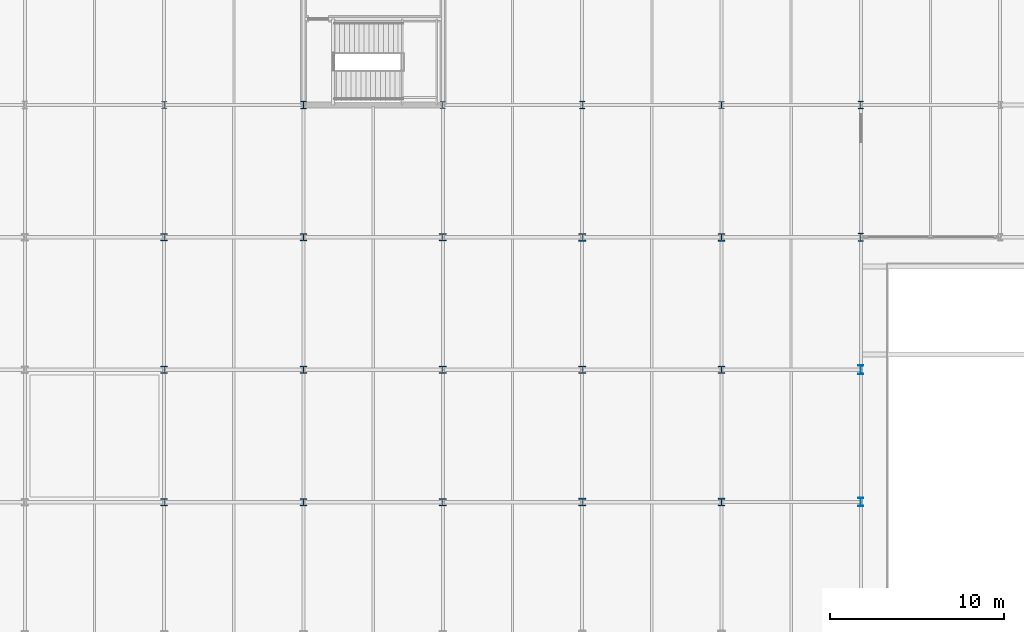
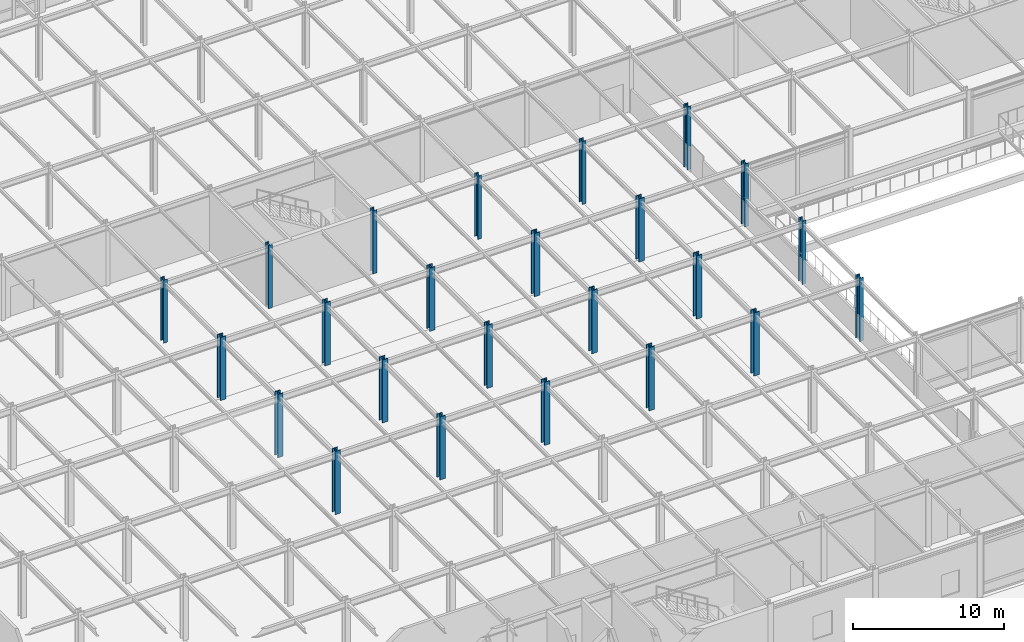
# One storey, part 7 of 113: 24 columns.
"""IFC4 building model written with IfcOpenShell, lengths in metres."""

from ifc_helpers import new_model, si_unit, direction, frame, origin, origin_2d, place, context, subcontext, project, spatial, i_section, extrude, material, material_profile, profile_set, type_object, element, save


model = new_model("IFC4")

# Units and contexts
model_context = context("Model", 3, precision=1e-05, world=origin(), true_north=direction((0.0, 1.0)))
body_context = subcontext(model_context, "Body", "Model", "MODEL_VIEW")
ifc_project = project(units=[si_unit("LENGTHUNIT", "METRE"), si_unit("AREAUNIT", "SQUARE_METRE"), si_unit("VOLUMEUNIT", "CUBIC_METRE"), si_unit("PLANEANGLEUNIT", "RADIAN"), si_unit("MASSUNIT", "GRAM", prefix="KILO")], contexts=[model_context])

# Site, building, storey
site_placement = place(None, origin())
site = spatial("IfcSite", under=ifc_project, at=site_placement, CompositionType="ELEMENT")
building_placement = place(site_placement, origin())
building = spatial("IfcBuilding", under=site, at=building_placement, Name="Shalkamar Park Central Library", CompositionType="ELEMENT")
storey_placement = place(building_placement, frame((0.0, 0.0, 5.39990234375)))
storey = spatial("IfcBuildingStorey", under=building, at=storey_placement, Name="L02", CompositionType="ELEMENT", Elevation=5.39990234375)

# Columns
ifc_material = material(Name="Steel S355", Category="steel")
ifc_material_profile_1 = material_profile(ifc_material, i_section(OverallWidth=0.412109375, OverallDepth=0.43505859375, WebThickness=0.035888671875, FlangeThickness=0.057373046875, FilletRadius=0.014892578125, at=origin_2d()), Name="HD 400x463")
ifc_profile_set_1 = profile_set([ifc_material_profile_1], Name="Steel S355")
column_type_1 = type_object("IfcColumnType", Name="Column Steel HD400x463", PredefinedType="COLUMN", material=ifc_profile_set_1)
for number, where, z_axis, x_axis, name in (
    (1, (189.0, 278.0, 0.0), (0.0, 0.0, 1.0), (1.0, 0.0, 0.0), "Column 10/F (L02)"),
    (2, (189.0, 285.60009765625, 0.0), (0.0, 0.0, 1.0), (1.0, 0.0, 0.0), "Column 10/G (L02)"),
    (3, (189.0, 293.199951171875, 0.0), (0.0, 0.0, 1.0), (1.0, 0.0, 0.0), "Column 10/H (L02)"),
    (4, (197.0, 278.0, 0.0), (0.0, 0.0, 1.0), (1.0, 0.0, 0.0), "Column 11/F (L02)"),
    (5, (197.0, 285.60009765625, 0.0), (0.0, 0.0, 1.0), (1.0, 0.0, 0.0), "Column 11/G (L02)"),
    (6, (197.0, 293.199951171875, 0.0), (0.0, 0.0, 1.0), (1.0, 0.0, 0.0), "Column 11/H (L02)"),
    (7, (205.0, 278.0, 0.0), (0.0, 0.0, 1.0), (1.0, 0.0, 0.0), "Column 12/F (L02)"),
    (8, (205.0, 285.60009765625, 0.0), (0.0, 0.0, 1.0), (1.0, 0.0, 0.0), "Column 12/G (L02)"),
    (9, (205.0, 293.199951171875, 0.0), (0.0, 0.0, 1.0), (1.0, 0.0, 0.0), "Column 12/H (L02)"),
):
    element("IfcColumn", number, at=place(storey_placement, frame(where, z_axis=z_axis, x_axis=x_axis)), inside=storey, type_object=column_type_1, Name=name, PredefinedType="COLUMN", context=body_context, shape_type="SweptSolid", body=[
        extrude(i_section(OverallWidth=0.412109375, OverallDepth=0.43505859375, WebThickness=0.035888671875, FlangeThickness=0.057373046875, FilletRadius=0.014892578125, at=origin_2d()), origin(), (0.0, 0.0, 1.0), 5.10009765625),
    ])
ifc_material_profile_2 = material_profile(ifc_material, i_section(OverallWidth=0.41796875, OverallDepth=0.455078125, WebThickness=0.0419921875, FlangeThickness=0.067626953125, FilletRadius=0.014892578125, at=origin_2d()), Name="HD 400x551")
ifc_profile_set_2 = profile_set([ifc_material_profile_2], Name="Steel S355")
column_type_2 = type_object("IfcColumnType", Name="Column Steel HD400x551", PredefinedType="COLUMN", material=ifc_profile_set_2)
for number, where, z_axis, x_axis, name in (
    (10, (213.0, 278.0, 0.0), (0.0, 0.0, 1.0), (1.0, 0.0, 0.0), "Column 13/F (L02)"),
    (11, (213.0, 285.60009765625, 0.0), (0.0, 0.0, 1.0), (1.0, 0.0, 0.0), "Column 13/G (L02)"),
    (12, (213.0, 293.199951171875, 0.0), (0.0, 0.0, 1.0), (1.0, 0.0, 0.0), "Column 13/H (L02)"),
    (13, (221.0, 278.0, 0.0), (0.0, 0.0, 1.0), (1.0, 0.0, 0.0), "Column 14/F (L02)"),
    (14, (221.0, 285.60009765625, 0.0), (0.0, 0.0, 1.0), (1.0, 0.0, 0.0), "Column 14/G (L02)"),
    (15, (221.0, 293.199951171875, 0.0), (0.0, 0.0, 1.0), (1.0, 0.0, 0.0), "Column 14/H (L02)"),
):
    element("IfcColumn", number, at=place(storey_placement, frame(where, z_axis=z_axis, x_axis=x_axis)), inside=storey, type_object=column_type_2, Name=name, PredefinedType="COLUMN", context=body_context, shape_type="SweptSolid", body=[
        extrude(i_section(OverallWidth=0.41796875, OverallDepth=0.455078125, WebThickness=0.0419921875, FlangeThickness=0.067626953125, FilletRadius=0.014892578125, at=origin_2d()), origin(), (0.0, 0.0, 1.0), 5.10009765625),
    ])
ifc_material_profile_3 = material_profile(ifc_material, i_section(OverallWidth=0.300048828125, OverallDepth=0.39990234375, WebThickness=0.013427734375, FlangeThickness=0.02392578125, FilletRadius=0.027099609375, at=origin_2d()), Name="HEB 400")
ifc_profile_set_3 = profile_set([ifc_material_profile_3], Name="Steel S355")
column_type_3 = type_object("IfcColumnType", Name="Column Steel HEB400", PredefinedType="COLUMN", material=ifc_profile_set_3)
for number, where, z_axis, x_axis, name in (
    (16, (189.0, 300.800048828125, 0.0), (0.0, 0.0, 1.0), (1.0, 0.0, 0.0), "Column 10/J (L02)"),
    (17, (205.0, 300.800048828125, 0.0), (0.0, 0.0, 1.0), (1.0, 0.0, 0.0), "Column 12/J (L02)"),
    (18, (221.0, 300.800048828125, 0.0), (0.0, 0.0, 1.0), (1.0, 0.0, 0.0), "Column 14/J (L02)"),
):
    element("IfcColumn", number, at=place(storey_placement, frame(where, z_axis=z_axis, x_axis=x_axis)), inside=storey, type_object=column_type_3, Name=name, PredefinedType="COLUMN", context=body_context, shape_type="SweptSolid", body=[
        extrude(i_section(OverallWidth=0.300048828125, OverallDepth=0.39990234375, WebThickness=0.013427734375, FlangeThickness=0.02392578125, FilletRadius=0.027099609375, at=origin_2d()), origin(), (0.0, 0.0, 1.0), 5.10009765625),
    ])
ifc_material_profile_4 = material_profile(ifc_material, i_section(OverallWidth=0.300048828125, OverallDepth=0.449951171875, WebThickness=0.013916015625, FlangeThickness=0.02587890625, FilletRadius=0.027099609375, at=origin_2d()), Name="HEB 450")
ifc_profile_set_4 = profile_set([ifc_material_profile_4], Name="Steel S355")
column_type_4 = type_object("IfcColumnType", Name="Column Steel HEB450", PredefinedType="COLUMN", material=ifc_profile_set_4)
for number, where, z_axis, x_axis, name in (
    (19, (197.0, 300.800048828125, 0.0), (0.0, 0.0, 1.0), (1.0, 0.0, 0.0), "Column 11/J (L02)"),
    (20, (213.0, 300.800048828125, 0.0), (0.0, 0.0, 1.0), (1.0, 0.0, 0.0), "Column 13/J (L02)"),
    (21, (229.0, 293.199951171875, 0.0), (0.0, 0.0, 1.0), (1.0, 0.0, 0.0), "Column 15/H (L02)"),
    (22, (229.0, 300.800048828125, 0.0), (0.0, 0.0, 1.0), (1.0, 0.0, 0.0), "Column 15/J (L02)"),
):
    element("IfcColumn", number, at=place(storey_placement, frame(where, z_axis=z_axis, x_axis=x_axis)), inside=storey, type_object=column_type_4, Name=name, PredefinedType="COLUMN", context=body_context, shape_type="SweptSolid", body=[
        extrude(i_section(OverallWidth=0.300048828125, OverallDepth=0.449951171875, WebThickness=0.013916015625, FlangeThickness=0.02587890625, FilletRadius=0.027099609375, at=origin_2d()), origin(), (0.0, 0.0, 1.0), 5.10009765625),
    ])
ifc_material_profile_5 = material_profile(ifc_material, i_section(OverallWidth=0.300048828125, OverallDepth=0.5, WebThickness=0.014404296875, FlangeThickness=0.028076171875, FilletRadius=0.027099609375, at=origin_2d()), Name="HEB 500")
ifc_profile_set_5 = profile_set([ifc_material_profile_5], Name="Steel S355")
column_type_5 = type_object("IfcColumnType", Name="Column Steel HEB500", PredefinedType="COLUMN", material=ifc_profile_set_5)
for number, where, z_axis, x_axis, name in (
    (23, (229.0, 278.0, 0.0), (0.0, 0.0, 1.0), (1.0, 0.0, 0.0), "Column 15/F (L02)"),
    (24, (229.0, 285.60009765625, 0.0), (0.0, 0.0, 1.0), (1.0, 0.0, 0.0), "Column 15/G (L02)"),
):
    element("IfcColumn", number, at=place(storey_placement, frame(where, z_axis=z_axis, x_axis=x_axis)), inside=storey, type_object=column_type_5, Name=name, PredefinedType="COLUMN", context=body_context, shape_type="SweptSolid", body=[
        extrude(i_section(OverallWidth=0.300048828125, OverallDepth=0.5, WebThickness=0.014404296875, FlangeThickness=0.028076171875, FilletRadius=0.027099609375, at=origin_2d()), origin(), (0.0, 0.0, 1.0), 5.10009765625),
    ])

save(model, "model.ifc")
